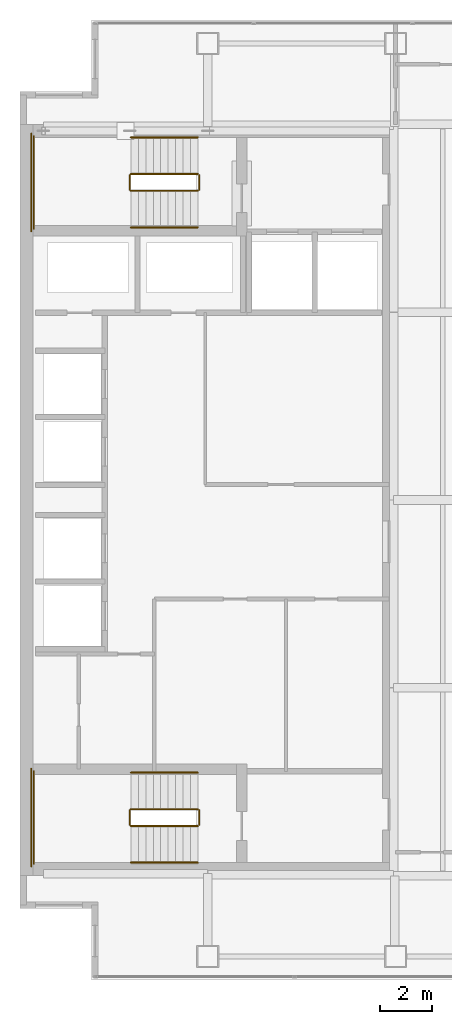
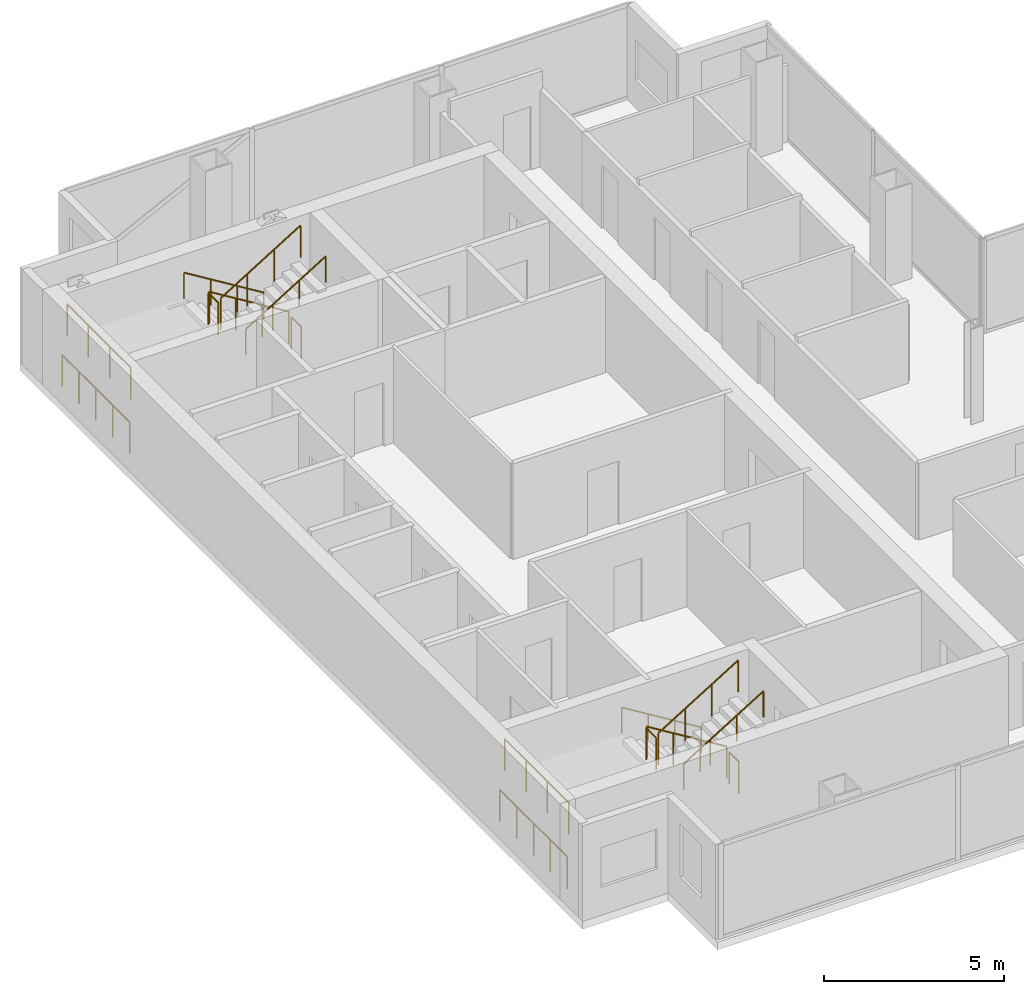
# One storey, part 23 of 23: 16 railings.
"""IFC4 building model written with IfcOpenShell, lengths in metres."""

from ifc_helpers import new_model, si_unit, direction, frame, origin, origin_2d, place, context, subcontext, project, spatial, circle, extrude, material, type_object, element, save


model = new_model("IFC4")

# Units and contexts
model_context = context("Model", 3, precision=1e-05, world=origin(), true_north=direction((0.0, 1.0)))
body_context = subcontext(model_context, "Body", "Model", "MODEL_VIEW")
ifc_project = project(units=[si_unit("LENGTHUNIT", "METRE"), si_unit("AREAUNIT", "SQUARE_METRE"), si_unit("VOLUMEUNIT", "CUBIC_METRE"), si_unit("PLANEANGLEUNIT", "RADIAN"), si_unit("MASSUNIT", "GRAM", prefix="KILO")], contexts=[model_context])

# Site, building, storey
site_placement = place(None, origin())
site = spatial("IfcSite", under=ifc_project, at=site_placement, CompositionType="ELEMENT")
building_placement = place(site_placement, origin())
building = spatial("IfcBuilding", under=site, at=building_placement, Name="Cobrela Telecom Tower", CompositionType="ELEMENT")
storey_placement = place(building_placement, frame((0.0, 0.0, 183.75)))
storey = spatial("IfcBuildingStorey", under=building, at=storey_placement, Name="L46", CompositionType="ELEMENT", Elevation=183.75)

# Railings
ifc_material = material(Name="Steel ASTM A36", Category="steel")
railing_type_1 = type_object("IfcRailingType", Name="RAIL-GUARD-1100", PredefinedType="GUARDRAIL", material=ifc_material)
railing_1_placement = place(storey_placement, frame((6.820068359375, 34.10009765625, 0.175048828125)))
element("IfcRailing", 1, at=railing_1_placement, inside=storey, type_object=railing_type_1, Name="L46 ST1 stair guard 1", PredefinedType="GUARDRAIL", context=body_context, shape_type="SweptSolid", body=[
    extrude(circle(Radius=0.02392578125, at=origin_2d()), frame((0.0, 0.0, 1.076171875), z_axis=(-0.852195335862, 0.0, 0.523223766217), x_axis=(0.0, -1.0, 0.0)), (0.0, 0.0, 1.0), 3.010009765625),
    extrude(circle(Radius=0.02099609375, at=origin_2d()), origin(), (0.0, 0.0, 1.0), 1.052001953125),
    extrude(circle(Radius=0.02099609375, at=origin_2d()), frame((-0.85498046875, 0.0, 0.52490234375)), (0.0, 0.0, 1.0), 1.052001953125),
    extrude(circle(Radius=0.02099609375, at=origin_2d()), frame((-1.710205078125, 0.0, 1.050048828125)), (0.0, 0.0, 1.0), 1.052001953125),
    extrude(circle(Radius=0.02099609375, at=origin_2d()), frame((-2.565185546875, 0.0, 1.574951171875)), (0.0, 0.0, 1.0), 1.052001953125),
])
railing_2_placement = place(storey_placement, frame((4.205078125, 34.050048828125, 1.75)))
element("IfcRailing", 2, at=railing_2_placement, inside=storey, type_object=railing_type_1, Name="L46 ST1 stair guard 2", PredefinedType="GUARDRAIL", context=body_context, shape_type="SweptSolid", body=[
    extrude(circle(Radius=0.02392578125, at=origin_2d()), frame((0.0, 0.0, 1.076171875), z_axis=(0.0, -1.0, 0.0), x_axis=(1.0, 0.0, 0.0)), (0.0, 0.0, 1.0), 0.550048828125),
    extrude(circle(Radius=0.02099609375, at=origin_2d()), origin(), (0.0, 0.0, 1.0), 1.052001953125),
    extrude(circle(Radius=0.02099609375, at=origin_2d()), frame((0.0, -0.550048828125, 0.0)), (0.0, 0.0, 1.0), 1.052001953125),
])
railing_3_placement = place(storey_placement, frame((0.530029296875, 35.550048828125, 1.75)))
element("IfcRailing", 3, at=railing_3_placement, inside=storey, type_object=railing_type_1, Name="L46 ST1 stair guard 3", PredefinedType="GUARDRAIL", context=body_context, shape_type="SweptSolid", body=[
    extrude(circle(Radius=0.02392578125, at=origin_2d()), frame((0.0, 0.0, 1.076171875), z_axis=(0.0, -1.0, 0.0), x_axis=(1.0, 0.0, 0.0)), (0.0, 0.0, 1.0), 3.550048828125),
    extrude(circle(Radius=0.02099609375, at=origin_2d()), origin(), (0.0, 0.0, 1.0), 1.052001953125),
    extrude(circle(Radius=0.02099609375, at=origin_2d()), frame((0.0, -1.183349609375, 0.0)), (0.0, 0.0, 1.0), 1.052001953125),
    extrude(circle(Radius=0.02099609375, at=origin_2d()), frame((0.0, -2.36669921875, 0.0)), (0.0, 0.0, 1.0), 1.052001953125),
    extrude(circle(Radius=0.02099609375, at=origin_2d()), frame((0.0, -3.550048828125, 0.0)), (0.0, 0.0, 1.0), 1.052001953125),
])
railing_4_placement = place(storey_placement, frame((4.2548828125, 33.449951171875, 1.925048828125)))
element("IfcRailing", 4, at=railing_4_placement, inside=storey, type_object=railing_type_1, Name="L46 ST1 stair guard 4", PredefinedType="GUARDRAIL", context=body_context, shape_type="SweptSolid", body=[
    extrude(circle(Radius=0.02392578125, at=origin_2d()), frame((0.0, 0.0, 1.076171875), z_axis=(0.852195335862, 0.0, 0.523223766217), x_axis=(0.0, 1.0, 0.0)), (0.0, 0.0, 1.0), 3.010009765625),
    extrude(circle(Radius=0.02099609375, at=origin_2d()), origin(), (0.0, 0.0, 1.0), 1.052001953125),
    extrude(circle(Radius=0.02099609375, at=origin_2d()), frame((0.85498046875, 0.0, 0.52490234375)), (0.0, 0.0, 1.0), 1.052001953125),
    extrude(circle(Radius=0.02099609375, at=origin_2d()), frame((1.710205078125, 0.0, 1.050048828125)), (0.0, 0.0, 1.0), 1.052001953125),
    extrude(circle(Radius=0.02099609375, at=origin_2d()), frame((2.565185546875, 0.0, 1.574951171875)), (0.0, 0.0, 1.0), 1.052001953125),
])
railing_5_placement = place(storey_placement, frame((6.8701171875, 34.050048828125, 0.0)))
element("IfcRailing", 5, at=railing_5_placement, inside=storey, type_object=railing_type_1, Name="L46 ST1 stair guard 5", PredefinedType="GUARDRAIL", context=body_context, shape_type="SweptSolid", body=[
    extrude(circle(Radius=0.02392578125, at=origin_2d()), frame((0.0, 0.0, 1.076171875), z_axis=(0.0, -1.0, 0.0), x_axis=(1.0, 0.0, 0.0)), (0.0, 0.0, 1.0), 0.550048828125),
    extrude(circle(Radius=0.02099609375, at=origin_2d()), origin(), (0.0, 0.0, 1.0), 1.052001953125),
    extrude(circle(Radius=0.02099609375, at=origin_2d()), frame((0.0, -0.550048828125, 0.0)), (0.0, 0.0, 1.0), 1.052001953125),
])
railing_6_placement = place(storey_placement, frame((0.429931640625, 35.64990234375, 0.0)))
element("IfcRailing", 6, at=railing_6_placement, inside=storey, type_object=railing_type_1, Name="L46 ST1 stair guard 6", PredefinedType="GUARDRAIL", context=body_context, shape_type="SweptSolid", body=[
    extrude(circle(Radius=0.02392578125, at=origin_2d()), frame((0.0, 0.0, 1.076171875), z_axis=(0.0, -1.0, 0.0), x_axis=(1.0, 0.0, 0.0)), (0.0, 0.0, 1.0), 3.75),
    extrude(circle(Radius=0.02099609375, at=origin_2d()), origin(), (0.0, 0.0, 1.0), 1.052001953125),
    extrude(circle(Radius=0.02099609375, at=origin_2d()), frame((0.0, -0.9375, 0.0)), (0.0, 0.0, 1.0), 1.052001953125),
    extrude(circle(Radius=0.02099609375, at=origin_2d()), frame((0.0, -1.875, 0.0)), (0.0, 0.0, 1.0), 1.052001953125),
    extrude(circle(Radius=0.02099609375, at=origin_2d()), frame((0.0, -2.8125, 0.0)), (0.0, 0.0, 1.0), 1.052001953125),
    extrude(circle(Radius=0.02099609375, at=origin_2d()), frame((0.0, -3.75, 0.0)), (0.0, 0.0, 1.0), 1.052001953125),
])
railing_7_placement = place(storey_placement, frame((6.820068359375, 9.75, 0.175048828125)))
element("IfcRailing", 7, at=railing_7_placement, inside=storey, type_object=railing_type_1, Name="L46 ST2 stair guard 1", PredefinedType="GUARDRAIL", context=body_context, shape_type="SweptSolid", body=[
    extrude(circle(Radius=0.02392578125, at=origin_2d()), frame((0.0, 0.0, 1.076171875), z_axis=(-0.852195335862, 0.0, 0.523223766217), x_axis=(0.0, -1.0, 0.0)), (0.0, 0.0, 1.0), 3.010009765625),
    extrude(circle(Radius=0.02099609375, at=origin_2d()), origin(), (0.0, 0.0, 1.0), 1.052001953125),
    extrude(circle(Radius=0.02099609375, at=origin_2d()), frame((-0.85498046875, 0.0, 0.52490234375)), (0.0, 0.0, 1.0), 1.052001953125),
    extrude(circle(Radius=0.02099609375, at=origin_2d()), frame((-1.710205078125, 0.0, 1.050048828125)), (0.0, 0.0, 1.0), 1.052001953125),
    extrude(circle(Radius=0.02099609375, at=origin_2d()), frame((-2.565185546875, 0.0, 1.574951171875)), (0.0, 0.0, 1.0), 1.052001953125),
])
railing_8_placement = place(storey_placement, frame((4.205078125, 9.699951171875, 1.75)))
element("IfcRailing", 8, at=railing_8_placement, inside=storey, type_object=railing_type_1, Name="L46 ST2 stair guard 2", PredefinedType="GUARDRAIL", context=body_context, shape_type="SweptSolid", body=[
    extrude(circle(Radius=0.02392578125, at=origin_2d()), frame((0.0, 0.0, 1.076171875), z_axis=(0.0, -1.0, 0.0), x_axis=(1.0, 0.0, 0.0)), (0.0, 0.0, 1.0), 0.550048828125),
    extrude(circle(Radius=0.02099609375, at=origin_2d()), origin(), (0.0, 0.0, 1.0), 1.052001953125),
    extrude(circle(Radius=0.02099609375, at=origin_2d()), frame((0.0, -0.550048828125, 0.0)), (0.0, 0.0, 1.0), 1.052001953125),
])
railing_9_placement = place(storey_placement, frame((0.530029296875, 11.199951171875, 1.75)))
element("IfcRailing", 9, at=railing_9_placement, inside=storey, type_object=railing_type_1, Name="L46 ST2 stair guard 3", PredefinedType="GUARDRAIL", context=body_context, shape_type="SweptSolid", body=[
    extrude(circle(Radius=0.02392578125, at=origin_2d()), frame((0.0, 0.0, 1.076171875), z_axis=(0.0, -1.0, 0.0), x_axis=(1.0, 0.0, 0.0)), (0.0, 0.0, 1.0), 3.550048828125),
    extrude(circle(Radius=0.02099609375, at=origin_2d()), origin(), (0.0, 0.0, 1.0), 1.052001953125),
    extrude(circle(Radius=0.02099609375, at=origin_2d()), frame((0.0, -1.183349609375, 0.0)), (0.0, 0.0, 1.0), 1.052001953125),
    extrude(circle(Radius=0.02099609375, at=origin_2d()), frame((0.0, -2.36669921875, 0.0)), (0.0, 0.0, 1.0), 1.052001953125),
    extrude(circle(Radius=0.02099609375, at=origin_2d()), frame((0.0, -3.550048828125, 0.0)), (0.0, 0.0, 1.0), 1.052001953125),
])
railing_10_placement = place(storey_placement, frame((4.2548828125, 9.10009765625, 1.925048828125)))
element("IfcRailing", 10, at=railing_10_placement, inside=storey, type_object=railing_type_1, Name="L46 ST2 stair guard 4", PredefinedType="GUARDRAIL", context=body_context, shape_type="SweptSolid", body=[
    extrude(circle(Radius=0.02392578125, at=origin_2d()), frame((0.0, 0.0, 1.076171875), z_axis=(0.852195335862, 0.0, 0.523223766217), x_axis=(0.0, 1.0, 0.0)), (0.0, 0.0, 1.0), 3.010009765625),
    extrude(circle(Radius=0.02099609375, at=origin_2d()), origin(), (0.0, 0.0, 1.0), 1.052001953125),
    extrude(circle(Radius=0.02099609375, at=origin_2d()), frame((0.85498046875, 0.0, 0.52490234375)), (0.0, 0.0, 1.0), 1.052001953125),
    extrude(circle(Radius=0.02099609375, at=origin_2d()), frame((1.710205078125, 0.0, 1.050048828125)), (0.0, 0.0, 1.0), 1.052001953125),
    extrude(circle(Radius=0.02099609375, at=origin_2d()), frame((2.565185546875, 0.0, 1.574951171875)), (0.0, 0.0, 1.0), 1.052001953125),
])
railing_11_placement = place(storey_placement, frame((6.8701171875, 9.699951171875, 0.0)))
element("IfcRailing", 11, at=railing_11_placement, inside=storey, type_object=railing_type_1, Name="L46 ST2 stair guard 5", PredefinedType="GUARDRAIL", context=body_context, shape_type="SweptSolid", body=[
    extrude(circle(Radius=0.02392578125, at=origin_2d()), frame((0.0, 0.0, 1.076171875), z_axis=(0.0, -1.0, 0.0), x_axis=(1.0, 0.0, 0.0)), (0.0, 0.0, 1.0), 0.550048828125),
    extrude(circle(Radius=0.02099609375, at=origin_2d()), origin(), (0.0, 0.0, 1.0), 1.052001953125),
    extrude(circle(Radius=0.02099609375, at=origin_2d()), frame((0.0, -0.550048828125, 0.0)), (0.0, 0.0, 1.0), 1.052001953125),
])
railing_12_placement = place(storey_placement, frame((0.429931640625, 11.300048828125, 0.0)))
element("IfcRailing", 12, at=railing_12_placement, inside=storey, type_object=railing_type_1, Name="L46 ST2 stair guard 6", PredefinedType="GUARDRAIL", context=body_context, shape_type="SweptSolid", body=[
    extrude(circle(Radius=0.02392578125, at=origin_2d()), frame((0.0, 0.0, 1.076171875), z_axis=(0.0, -1.0, 0.0), x_axis=(1.0, 0.0, 0.0)), (0.0, 0.0, 1.0), 3.75),
    extrude(circle(Radius=0.02099609375, at=origin_2d()), origin(), (0.0, 0.0, 1.0), 1.052001953125),
    extrude(circle(Radius=0.02099609375, at=origin_2d()), frame((0.0, -0.9375, 0.0)), (0.0, 0.0, 1.0), 1.052001953125),
    extrude(circle(Radius=0.02099609375, at=origin_2d()), frame((0.0, -1.875, 0.0)), (0.0, 0.0, 1.0), 1.052001953125),
    extrude(circle(Radius=0.02099609375, at=origin_2d()), frame((0.0, -2.8125, 0.0)), (0.0, 0.0, 1.0), 1.052001953125),
    extrude(circle(Radius=0.02099609375, at=origin_2d()), frame((0.0, -3.75, 0.0)), (0.0, 0.0, 1.0), 1.052001953125),
])
railing_type_2 = type_object("IfcRailingType", Name="RAIL-HAND-920", PredefinedType="HANDRAIL", material=ifc_material)
railing_13_placement = place(storey_placement, frame((6.820068359375, 35.5, 0.175048828125)))
element("IfcRailing", 13, at=railing_13_placement, inside=storey, type_object=railing_type_2, Name="L46 ST1 stair handrail 1", PredefinedType="HANDRAIL", context=body_context, shape_type="SweptSolid", body=[
    extrude(circle(Radius=0.02392578125, at=origin_2d()), frame((0.0, 0.0, 0.8759765625), z_axis=(-0.852195335862, 0.0, 0.523223766217), x_axis=(0.0, -1.0, 0.0)), (0.0, 0.0, 1.0), 3.010009765625),
    extrude(circle(Radius=0.02099609375, at=origin_2d()), origin(), (0.0, 0.0, 1.0), 0.851806640625),
    extrude(circle(Radius=0.02099609375, at=origin_2d()), frame((-0.85498046875, 0.0, 0.52490234375)), (0.0, 0.0, 1.0), 0.851806640625),
    extrude(circle(Radius=0.02099609375, at=origin_2d()), frame((-1.710205078125, 0.0, 1.050048828125)), (0.0, 0.0, 1.0), 0.851806640625),
    extrude(circle(Radius=0.02099609375, at=origin_2d()), frame((-2.565185546875, 0.0, 1.574951171875)), (0.0, 0.0, 1.0), 0.851806640625),
])
railing_14_placement = place(storey_placement, frame((4.2548828125, 32.050048828125, 1.925048828125)))
element("IfcRailing", 14, at=railing_14_placement, inside=storey, type_object=railing_type_2, Name="L46 ST1 stair handrail 2", PredefinedType="HANDRAIL", context=body_context, shape_type="SweptSolid", body=[
    extrude(circle(Radius=0.02392578125, at=origin_2d()), frame((0.0, 0.0, 0.8759765625), z_axis=(0.852195335862, 0.0, 0.523223766217), x_axis=(0.0, 1.0, 0.0)), (0.0, 0.0, 1.0), 3.010009765625),
    extrude(circle(Radius=0.02099609375, at=origin_2d()), origin(), (0.0, 0.0, 1.0), 0.851806640625),
    extrude(circle(Radius=0.02099609375, at=origin_2d()), frame((0.85498046875, 0.0, 0.52490234375)), (0.0, 0.0, 1.0), 0.851806640625),
    extrude(circle(Radius=0.02099609375, at=origin_2d()), frame((1.710205078125, 0.0, 1.050048828125)), (0.0, 0.0, 1.0), 0.851806640625),
    extrude(circle(Radius=0.02099609375, at=origin_2d()), frame((2.565185546875, 0.0, 1.574951171875)), (0.0, 0.0, 1.0), 0.851806640625),
])
railing_15_placement = place(storey_placement, frame((6.820068359375, 11.14990234375, 0.175048828125)))
element("IfcRailing", 15, at=railing_15_placement, inside=storey, type_object=railing_type_2, Name="L46 ST2 stair handrail 1", PredefinedType="HANDRAIL", context=body_context, shape_type="SweptSolid", body=[
    extrude(circle(Radius=0.02392578125, at=origin_2d()), frame((0.0, 0.0, 0.8759765625), z_axis=(-0.852195335862, 0.0, 0.523223766217), x_axis=(0.0, -1.0, 0.0)), (0.0, 0.0, 1.0), 3.010009765625),
    extrude(circle(Radius=0.02099609375, at=origin_2d()), origin(), (0.0, 0.0, 1.0), 0.851806640625),
    extrude(circle(Radius=0.02099609375, at=origin_2d()), frame((-0.85498046875, 0.0, 0.52490234375)), (0.0, 0.0, 1.0), 0.851806640625),
    extrude(circle(Radius=0.02099609375, at=origin_2d()), frame((-1.710205078125, 0.0, 1.050048828125)), (0.0, 0.0, 1.0), 0.851806640625),
    extrude(circle(Radius=0.02099609375, at=origin_2d()), frame((-2.565185546875, 0.0, 1.574951171875)), (0.0, 0.0, 1.0), 0.851806640625),
])
railing_16_placement = place(storey_placement, frame((4.2548828125, 7.699951171875, 1.925048828125)))
element("IfcRailing", 16, at=railing_16_placement, inside=storey, type_object=railing_type_2, Name="L46 ST2 stair handrail 2", PredefinedType="HANDRAIL", context=body_context, shape_type="SweptSolid", body=[
    extrude(circle(Radius=0.02392578125, at=origin_2d()), frame((0.0, 0.0, 0.8759765625), z_axis=(0.852195335862, 0.0, 0.523223766217), x_axis=(0.0, 1.0, 0.0)), (0.0, 0.0, 1.0), 3.010009765625),
    extrude(circle(Radius=0.02099609375, at=origin_2d()), origin(), (0.0, 0.0, 1.0), 0.851806640625),
    extrude(circle(Radius=0.02099609375, at=origin_2d()), frame((0.85498046875, 0.0, 0.52490234375)), (0.0, 0.0, 1.0), 0.851806640625),
    extrude(circle(Radius=0.02099609375, at=origin_2d()), frame((1.710205078125, 0.0, 1.050048828125)), (0.0, 0.0, 1.0), 0.851806640625),
    extrude(circle(Radius=0.02099609375, at=origin_2d()), frame((2.565185546875, 0.0, 1.574951171875)), (0.0, 0.0, 1.0), 0.851806640625),
])

save(model, "model.ifc")
